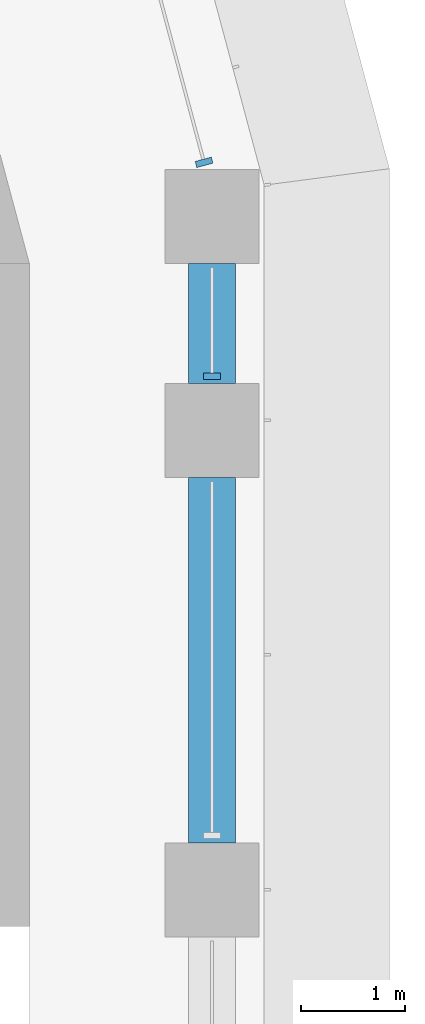
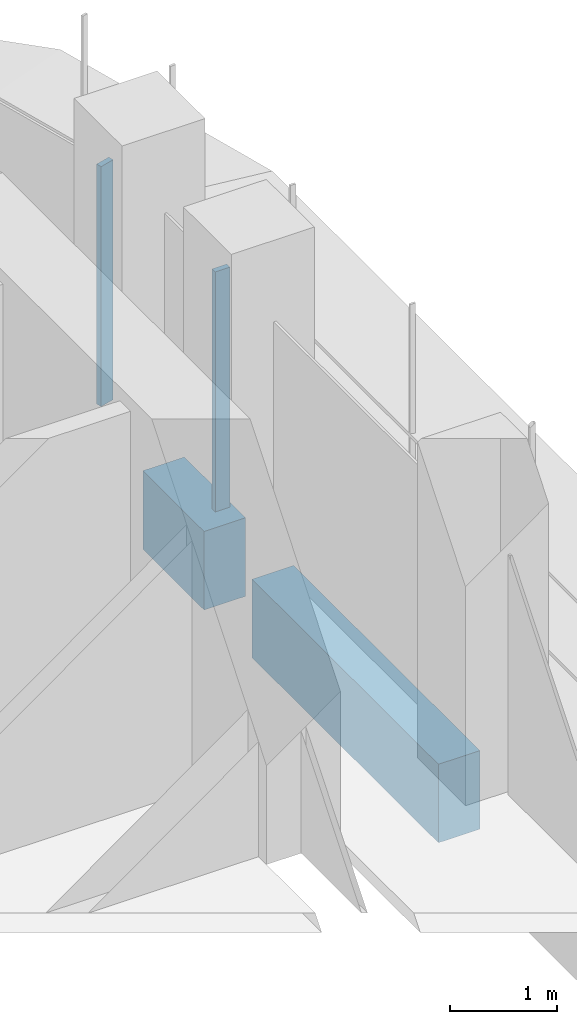
# One storey, part 9 of 21: 2 beams, 2 members, 2 elements without a shape of their own.
"""IFC4 building model written with IfcOpenShell, lengths in metres."""

from ifc_helpers import new_model, si_unit, direction, frame, origin, origin_2d, place, context, subcontext, project, spatial, polyline, rectangle, outline, extrude, source, transform, mapped, material, material_profile, profile_set, type_object, element, aggregate, save


model = new_model("IFC4")

# Units and contexts
model_context = context("Model", 3, precision=1e-05, world=origin(), true_north=direction((0.0, 1.0)))
body_context = subcontext(model_context, "Body", "Model", "MODEL_VIEW")
ifc_project = project(units=[si_unit("LENGTHUNIT", "METRE"), si_unit("AREAUNIT", "SQUARE_METRE"), si_unit("VOLUMEUNIT", "CUBIC_METRE"), si_unit("PLANEANGLEUNIT", "RADIAN"), si_unit("MASSUNIT", "GRAM", prefix="KILO")], contexts=[model_context])

# Site, building, storey
site_placement = place(None, origin())
site = spatial("IfcSite", under=ifc_project, at=site_placement, CompositionType="ELEMENT")
building_placement = place(site_placement, origin())
building = spatial("IfcBuilding", under=site, at=building_placement, Name="Zarbagh Exchange Tower", CompositionType="ELEMENT")
storey_placement = place(building_placement, frame((0.0, 0.0, 128.39990234375)))
storey = spatial("IfcBuildingStorey", under=building, at=storey_placement, Name="L30", CompositionType="ELEMENT", Elevation=128.39990234375)

# Beams
ifc_material_1 = material(Name="Concrete C60/75", Category="concrete")
ifc_material_profile = material_profile(ifc_material_1, rectangle(XDim=0.449951171875, YDim=0.89990234375, at=origin_2d()), Name="RC spandrel beam 450 x 900 C60/75")
ifc_profile_set = profile_set([ifc_material_profile], Name="Concrete C60/75")
beam_type = type_object("IfcBeamType", Name="RC spandrel beam 450 x 900 C60/75", PredefinedType="SPANDREL", material=ifc_profile_set)
beam_1_placement = place(storey_placement, frame((6.25, 26.25, -0.599853515625), z_axis=(0.0, -1.0, 0.0), x_axis=(1.0, 0.0, 0.0)))
element("IfcBeam", 1, at=beam_1_placement, inside=storey, type_object=beam_type, Name="RC spandrel beam", PredefinedType="SPANDREL", context=body_context, shape_type="SweptSolid", body=[
    extrude(rectangle(XDim=0.449951171875, YDim=0.89990234375, at=origin_2d()), origin(), (0.0, 0.0, 1.0), 1.14990234375),
])
beam_2_placement = place(storey_placement, frame((6.25, 24.199951171875, -0.599853515625), z_axis=(0.0, -1.0, 0.0), x_axis=(1.0, 0.0, 0.0)))
element("IfcBeam", 2, at=beam_2_placement, inside=storey, type_object=beam_type, Name="RC spandrel beam", PredefinedType="SPANDREL", context=body_context, shape_type="SweptSolid", body=[
    extrude(rectangle(XDim=0.449951171875, YDim=0.89990234375, at=origin_2d()), origin(), (0.0, 0.0, 1.0), 3.5),
])

# Curtain wall, member
ifc_material_2 = material(Name="Anodised aluminium frame and glazing", Category="aluminium")
curtain_wall_type = type_object("IfcCurtainWallType", Name="CWA Ribbon glazing, lower zones", PredefinedType="NOTDEFINED", material=ifc_material_2)
curtain_wall_1_placement = place(storey_placement, origin())
curtain_wall_1 = element("IfcCurtainWall", 3, at=curtain_wall_1_placement, inside=storey, type_object=curtain_wall_type, Name="CWA49 curtain wall", PredefinedType="NOTDEFINED")
ifc_material_3 = material(Name="Anodised aluminium frame", Category="aluminium")
member_type = type_object("IfcMemberType", Name="MUA Mullion, anodised aluminium frame", PredefinedType="MULLION", material=ifc_material_3)
shared_shape = source(origin(), body_context, "Body", "SweptSolid", [
    extrude(outline(polyline([(0.0, -0.080078125), (0.06005859375, -0.080078125), (0.06005859375, 0.080078125), (0.0, 0.080078125), (0.0, -0.080078125)])), origin(), (0.0, 0.0, 1.0), 2.75),
])
placement = place(storey_placement, origin())
member_1 = element("IfcMember", 4, at=placement, type_object=member_type, Name="CWA49 mullion 4.1", PredefinedType="MULLION", context=body_context, shape_type="MappedRepresentation", body=[
    mapped(shared_shape, transform((6.25, 25.14013671875, 0.0), x_axis=(0.0, 1.0, 0.0), y_axis=(-1.0, 0.0, 0.0), z_axis=(0.0, 0.0, 1.0))),
])
aggregate(curtain_wall_1, [member_1])

curtain_wall_2_placement = place(storey_placement, origin())
curtain_wall_2 = element("IfcCurtainWall", 5, at=curtain_wall_2_placement, inside=storey, type_object=curtain_wall_type, Name="CWA50 curtain wall", PredefinedType="NOTDEFINED")
member_2 = element("IfcMember", 6, at=placement, type_object=member_type, Name="CWA50 mullion 1.1", PredefinedType="MULLION", context=body_context, shape_type="MappedRepresentation", body=[
    mapped(shared_shape, transform((6.181396484375, 27.18994140625, 0.0), x_axis=(-0.258824779902, 0.965924289636, 0.0), y_axis=(-0.965924289636, -0.258824779902, 0.0), z_axis=(0.0, 0.0, 1.0))),
])
aggregate(curtain_wall_2, [member_2])

save(model, "model.ifc")
